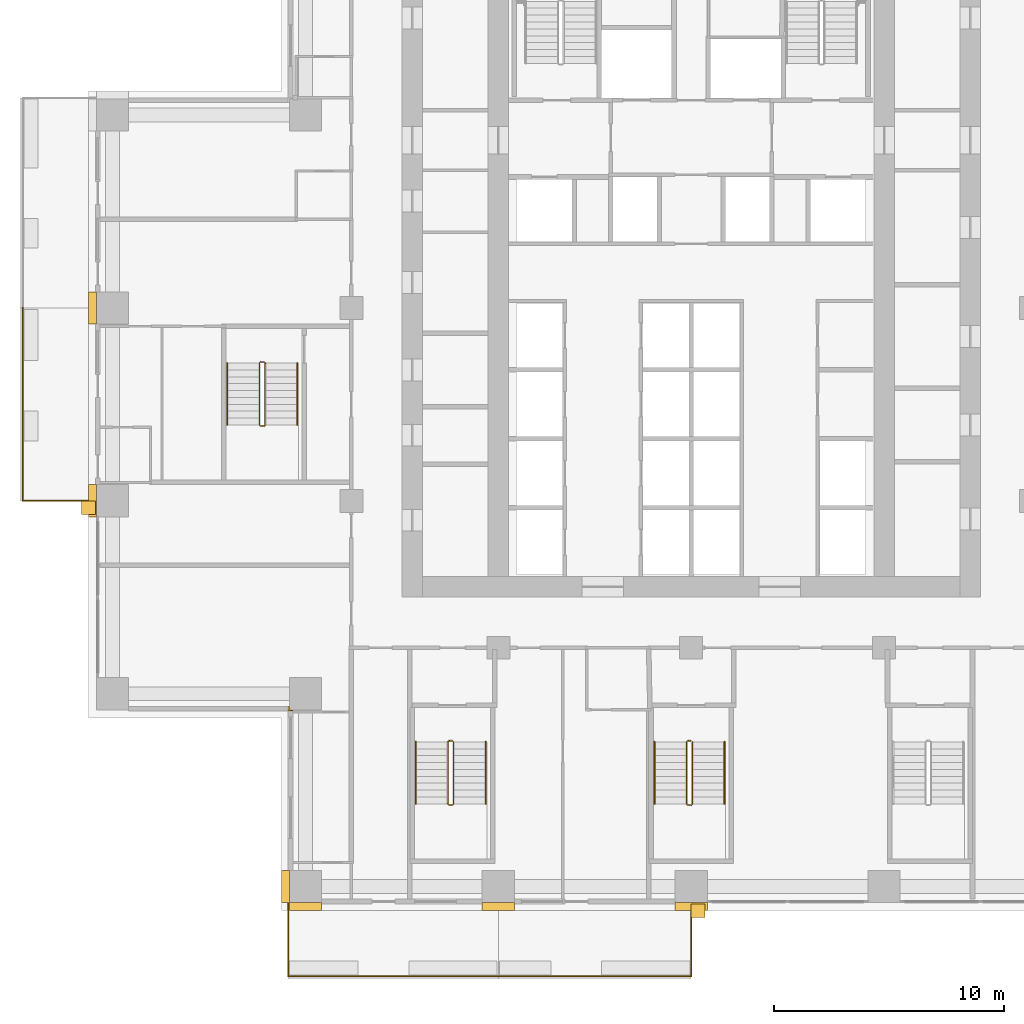
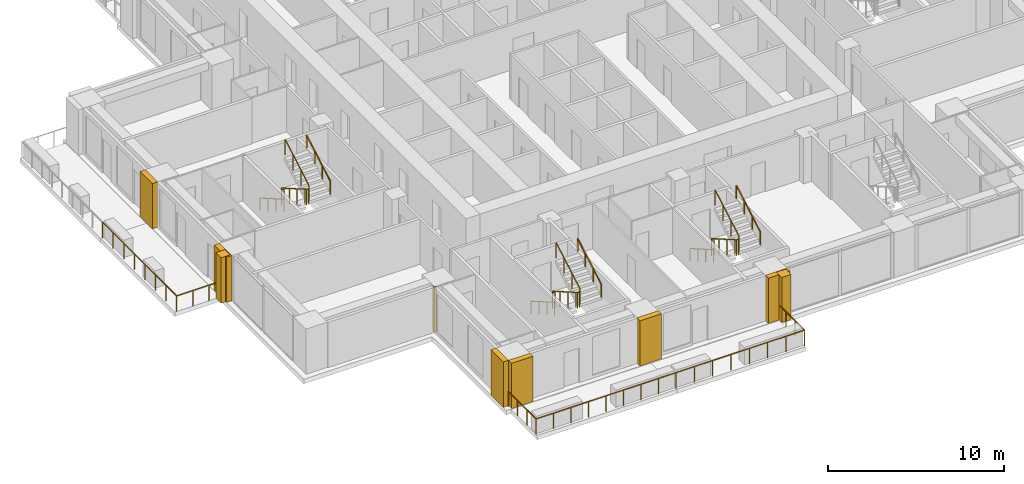
# One storey, part 14 of 17: 12 railings, 9 coverings.
"""IFC4 building model written with IfcOpenShell, lengths in metres."""

import ifcopenshell
import ifcopenshell.guid

model = None  # the IFC model being written
_history = None  # IfcOwnerHistory: only IFC2X3 demands one
_inside = {}  # id of a spatial element -> (the spatial element, [elements in it])
_under = {}  # id of a project, library or spatial element -> (it, [spatial elements below it])
_declared = {}  # id of a project -> (the project, [libraries it declares])
_typed = {}  # id of a type object -> (the type object, [elements of that type])
_made_of = {}  # id of a material, layer set ... -> (it, [elements and type objects made of it])


def new_model(schema):
    """Start an empty IFC model of exactly this schema.

    Asked for "IFC4X3", IfcOpenShell would pick the latest addendum, in which some entities
    have other attributes; the version numbers below select the first issue.
    IFC2X3 requires an IfcOwnerHistory on every rooted entity: one is made here for all.
    """
    global model, _history
    if schema == "IFC4X3":
        model = ifcopenshell.file(schema_version=(4, 3, 0, 0))
    else:
        model = ifcopenshell.file(schema=schema)
    _inside.clear()
    _under.clear()
    _declared.clear()
    _typed.clear()
    _made_of.clear()
    _history = None
    if model.schema == "IFC2X3":
        org = make("IfcOrganization", Name="unknown")
        user = make(
            "IfcPersonAndOrganization",
            ThePerson=make("IfcPerson", FamilyName="unknown"),
            TheOrganization=org,
        )
        app = make(
            "IfcApplication",
            ApplicationDeveloper=org,
            Version="unknown",
            ApplicationFullName="unknown",
            ApplicationIdentifier="unknown",
        )
        _history = make(
            "IfcOwnerHistory",
            OwningUser=user,
            OwningApplication=app,
            ChangeAction="ADDED",
            CreationDate=0,
        )
    return model


def make(cls, **values):
    """One entity of the class cls with the attributes given. An attribute that is None is left unset."""
    return model.create_entity(
        cls, **{name: value for name, value in values.items() if value is not None}
    )


def rooted(cls, **values):
    """An entity with a GlobalId (a new one), such as an element, a storey or a relation."""
    return make(cls, GlobalId=ifcopenshell.guid.new(), OwnerHistory=_history, **values)


def si_unit(unit_type, name, prefix=None):
    """IfcSIUnit, for example si_unit("LENGTHUNIT", "METRE", prefix="MILLI")."""
    return make("IfcSIUnit", UnitType=unit_type, Prefix=prefix, Name=name)


def assignment(units):
    """IfcUnitAssignment: the units of a project."""
    return None if units is None else make("IfcUnitAssignment", Units=units)


def point(xyz):
    """IfcCartesianPoint."""
    return None if xyz is None else make("IfcCartesianPoint", Coordinates=xyz)


def direction(xyz):
    """IfcDirection."""
    return None if xyz is None else make("IfcDirection", DirectionRatios=xyz)


def frame(location, z_axis=None, x_axis=None):
    """IfcAxis2Placement3D, a coordinate frame: its origin and axes. An axis left out is left unset."""
    return make(
        "IfcAxis2Placement3D",
        Location=point(location),
        Axis=direction(z_axis),
        RefDirection=direction(x_axis),
    )


def frame_2d(location, x_axis=None):
    """IfcAxis2Placement2D, a coordinate frame in the plane: its origin and x axis."""
    return make(
        "IfcAxis2Placement2D", Location=point(location), RefDirection=direction(x_axis)
    )


def origin():
    """The frame at (0, 0, 0) with its axes left unset."""
    return frame((0.0, 0.0, 0.0))


def origin_2d():
    """The frame at (0, 0) in the plane with its x axis left unset."""
    return frame_2d((0.0, 0.0))


def place(relative_to, where):
    """IfcLocalPlacement: puts the frame where relative to a parent placement (None: the world)."""
    return make(
        "IfcLocalPlacement", PlacementRelTo=relative_to, RelativePlacement=where
    )


def context(
    kind, dimensions, precision=None, world=None, true_north=None, identifier=None
):
    """IfcGeometricRepresentationContext, for example the 3D "Model" context."""
    return make(
        "IfcGeometricRepresentationContext",
        ContextIdentifier=identifier,
        ContextType=kind,
        CoordinateSpaceDimension=dimensions,
        Precision=precision,
        WorldCoordinateSystem=world,
        TrueNorth=true_north,
    )


def subcontext(parent, identifier, kind, view, scale=None):
    """IfcGeometricRepresentationSubContext, for example "Body" below "Model"."""
    return make(
        "IfcGeometricRepresentationSubContext",
        ContextIdentifier=identifier,
        ContextType=kind,
        ParentContext=parent,
        TargetScale=scale,
        TargetView=view,
    )


def project(units=None, contexts=None):
    """IfcProject with its units and contexts."""
    return rooted(
        "IfcProject",
        Name="project",
        RepresentationContexts=contexts,
        UnitsInContext=assignment(units),
    )


def spatial(cls, under=None, at=None, **own):
    """A site, building, storey or space (cls), placed at a placement, below another one or the project."""
    s = rooted(cls, ObjectPlacement=at, **own)
    if under is not None:
        _under.setdefault(under.id(), (under, []))[1].append(s)
    return s


def polyline(points):
    """IfcPolyline through the points."""
    return make("IfcPolyline", Points=[point(p) for p in points])


def profile(cls, at=None, kind="AREA", **sizes):
    """A parametric profile (cls). Its sizes go by their IFC names, for example OverallWidth=200.0."""
    return make(cls, ProfileType=kind, Position=at, **sizes)


def rectangle(**sizes):
    """IfcRectangleProfileDef."""
    return profile("IfcRectangleProfileDef", **sizes)


def outline(outer, holes=None, kind="AREA"):
    """IfcArbitraryClosedProfileDef: a profile drawn as a closed curve; with holes, ...WithVoids."""
    if holes is None:
        return make("IfcArbitraryClosedProfileDef", ProfileType=kind, OuterCurve=outer)
    return make(
        "IfcArbitraryProfileDefWithVoids",
        ProfileType=kind,
        OuterCurve=outer,
        InnerCurves=holes,
    )


def extrude(swept, where, along, depth):
    """IfcExtrudedAreaSolid: the profile swept, set in the frame where, extruded along a direction by depth."""
    return make(
        "IfcExtrudedAreaSolid",
        SweptArea=swept,
        Position=where,
        ExtrudedDirection=direction(along),
        Depth=depth,
    )


def shape(context_of_items, identifier, shape_type, items):
    """IfcShapeRepresentation: the items that make up one representation, for example the "Body"."""
    return make(
        "IfcShapeRepresentation",
        ContextOfItems=context_of_items,
        RepresentationIdentifier=identifier,
        RepresentationType=shape_type,
        Items=items,
    )


def material(Name=None, Category=None):
    """IfcMaterial."""
    return make("IfcMaterial", Name=Name, Category=Category)


def made_of(thing, what):
    """Note that an element or type object is made of a material, layer set ...; save() writes the relation."""
    if what is not None:
        _made_of.setdefault(what.id(), (what, []))[1].append(thing)
    return thing


def type_object(cls, material=None, **own):
    """A type object (cls), such as IfcWallType, which elements share."""
    return made_of(rooted(cls, **own), material)


def element(
    cls,
    number,
    at=None,
    inside=None,
    cuts=None,
    type_object=None,
    material=None,
    context=None,
    identifier="Body",
    shape_type=None,
    held_by="IfcProductDefinitionShape",
    body=None,
    shapes=None,
    **own,
):
    """One element of the class cls, such as IfcWall. Its Tag is "e" and its number.

    at: its placement. inside: the storey or other place that contains it. cuts: it is an
    opening in that element (IfcRelVoidsElement). A single representation is given by context,
    identifier, shape_type and body (its items); several are given by shapes. held_by: the class
    of the entity that holds the representations. save() writes the other relations.
    """
    e = rooted(cls, Tag="e%d" % number, ObjectPlacement=at, **own)
    if body is not None:
        shapes = [shape(context, identifier, shape_type, body)]
    if shapes is not None:
        e.Representation = make(held_by, Representations=shapes)
    if inside is not None:
        _inside.setdefault(inside.id(), (inside, []))[1].append(e)
    if cuts is not None:
        rooted(
            "IfcRelVoidsElement", RelatingBuildingElement=cuts, RelatedOpeningElement=e
        )
    if type_object is not None:
        _typed.setdefault(type_object.id(), (type_object, []))[1].append(e)
    return made_of(e, material)


def aggregate(whole, parts):
    """IfcRelAggregates: a whole, such as a stair, and the parts it consists of."""
    return rooted("IfcRelAggregates", RelatingObject=whole, RelatedObjects=parts)


def save(model, path):
    """Write the relations noted so far, then the file.

    IfcRelAggregates (storeys below a building ...), IfcRelContainedInSpatialStructure (elements
    in a storey), IfcRelDefinesByType, IfcRelAssociatesMaterial and IfcRelDeclares: one each for
    every whole, place, type object, material and project.
    """
    for whole, parts in _under.values():
        aggregate(whole, parts)
    for where, things in _inside.values():
        rooted(
            "IfcRelContainedInSpatialStructure",
            RelatedElements=things,
            RelatingStructure=where,
        )
    for kind, things in _typed.values():
        rooted("IfcRelDefinesByType", RelatedObjects=things, RelatingType=kind)
    for what, things in _made_of.values():
        rooted("IfcRelAssociatesMaterial", RelatedObjects=things, RelatingMaterial=what)
    for by, libraries in _declared.values():
        rooted("IfcRelDeclares", RelatingContext=by, RelatedDefinitions=libraries)
    model.write(path)


model = new_model("IFC4")

# Units and contexts
model_context = context("Model", 3, precision=1e-05, world=origin(), true_north=direction((0.0, 1.0)))
body_context = subcontext(model_context, "Body", "Model", "MODEL_VIEW")
ifc_project = project(units=[si_unit("LENGTHUNIT", "METRE"), si_unit("AREAUNIT", "SQUARE_METRE"), si_unit("VOLUMEUNIT", "CUBIC_METRE"), si_unit("PLANEANGLEUNIT", "RADIAN"), si_unit("MASSUNIT", "GRAM", prefix="KILO")], contexts=[model_context])

# Site, building, storey
site_placement = place(None, origin())
site = spatial("IfcSite", under=ifc_project, at=site_placement, CompositionType="ELEMENT")
building_placement = place(site_placement, origin())
building = spatial("IfcBuilding", under=site, at=building_placement, Name="Vermilion Ogive Tower", CompositionType="ELEMENT")
storey_placement = place(building_placement, frame((0.0, 0.0, 58.64990234375)))
storey = spatial("IfcBuildingStorey", under=building, at=storey_placement, Name="L13", CompositionType="ELEMENT", Elevation=58.64990234375)

# Railings
ifc_material_1 = material(Name="Stainless steel and glass", Category="steel")
railing_type_1 = type_object("IfcRailingType", Name="Balcony guard", PredefinedType="GUARDRAIL", material=ifc_material_1)
railing_1_placement = place(storey_placement, frame((-17.550048828125, -21.75, -0.039794921875)))
element("IfcRailing", 1, at=railing_1_placement, inside=storey, type_object=railing_type_1, Name="Guard S01", PredefinedType="GUARDRAIL", context=body_context, shape_type="SweptSolid", body=[
    extrude(rectangle(XDim=0.048095703125, YDim=0.048095703125, at=origin_2d()), frame((0.0, 0.0, 1.076171875), z_axis=(0.0, -1.0, 0.0), x_axis=(1.0, 0.0, 0.0)), (0.0, 0.0, 1.0), 3.159912109375),
    extrude(rectangle(XDim=0.048095703125, YDim=0.048095703125, at=origin_2d()), frame((0.0, -3.159912109375, 1.076171875), z_axis=(1.0, 0.0, 0.0), x_axis=(0.0, 1.0, 0.0)), (0.0, 0.0, 1.0), 9.150146484375),
    extrude(rectangle(XDim=0.0419921875, YDim=0.0419921875, at=origin_2d()), origin(), (0.0, 0.0, 1.0), 1.052001953125),
    extrude(rectangle(XDim=0.0419921875, YDim=0.0419921875, at=origin_2d()), frame((0.0, -1.05322265625, 0.0)), (0.0, 0.0, 1.0), 1.052001953125),
    extrude(rectangle(XDim=0.0419921875, YDim=0.0419921875, at=origin_2d()), frame((0.0, -2.106689453125, 0.0)), (0.0, 0.0, 1.0), 1.052001953125),
    extrude(rectangle(XDim=0.0419921875, YDim=0.0419921875, at=origin_2d()), frame((0.0, -3.159912109375, 0.0)), (0.0, 0.0, 1.0), 1.052001953125),
    extrude(rectangle(XDim=0.0419921875, YDim=0.0419921875, at=origin_2d()), frame((1.143798828125, -3.159912109375, 0.0)), (0.0, 0.0, 1.0), 1.052001953125),
    extrude(rectangle(XDim=0.0419921875, YDim=0.0419921875, at=origin_2d()), frame((2.28759765625, -3.159912109375, 0.0)), (0.0, 0.0, 1.0), 1.052001953125),
    extrude(rectangle(XDim=0.0419921875, YDim=0.0419921875, at=origin_2d()), frame((3.431396484375, -3.159912109375, 0.0)), (0.0, 0.0, 1.0), 1.052001953125),
    extrude(rectangle(XDim=0.0419921875, YDim=0.0419921875, at=origin_2d()), frame((4.5751953125, -3.159912109375, 0.0)), (0.0, 0.0, 1.0), 1.052001953125),
    extrude(rectangle(XDim=0.0419921875, YDim=0.0419921875, at=origin_2d()), frame((5.71875, -3.159912109375, 0.0)), (0.0, 0.0, 1.0), 1.052001953125),
    extrude(rectangle(XDim=0.0419921875, YDim=0.0419921875, at=origin_2d()), frame((6.862548828125, -3.159912109375, 0.0)), (0.0, 0.0, 1.0), 1.052001953125),
    extrude(rectangle(XDim=0.0419921875, YDim=0.0419921875, at=origin_2d()), frame((8.00634765625, -3.159912109375, 0.0)), (0.0, 0.0, 1.0), 1.052001953125),
    extrude(rectangle(XDim=0.0419921875, YDim=0.0419921875, at=origin_2d()), frame((9.150146484375, -3.159912109375, 0.0)), (0.0, 0.0, 1.0), 1.052001953125),
])
railing_2_placement = place(storey_placement, frame((-8.39990234375, -24.909912109375, -0.039794921875)))
element("IfcRailing", 2, at=railing_2_placement, inside=storey, type_object=railing_type_1, Name="Guard S02", PredefinedType="GUARDRAIL", context=body_context, shape_type="SweptSolid", body=[
    extrude(rectangle(XDim=0.048095703125, YDim=0.048095703125, at=origin_2d()), frame((0.0, 0.0, 1.076171875), z_axis=(1.0, 0.0, 0.0), x_axis=(0.0, 1.0, 0.0)), (0.0, 0.0, 1.0), 8.39990234375),
    extrude(rectangle(XDim=0.048095703125, YDim=0.048095703125, at=origin_2d()), frame((8.39990234375, 0.0, 1.076171875), z_axis=(0.0, 1.0, 0.0), x_axis=(-1.0, 0.0, 0.0)), (0.0, 0.0, 1.0), 3.159912109375),
    extrude(rectangle(XDim=0.0419921875, YDim=0.0419921875, at=origin_2d()), origin(), (0.0, 0.0, 1.0), 1.052001953125),
    extrude(rectangle(XDim=0.0419921875, YDim=0.0419921875, at=origin_2d()), frame((1.199951171875, 0.0, 0.0)), (0.0, 0.0, 1.0), 1.052001953125),
    extrude(rectangle(XDim=0.0419921875, YDim=0.0419921875, at=origin_2d()), frame((2.39990234375, 0.0, 0.0)), (0.0, 0.0, 1.0), 1.052001953125),
    extrude(rectangle(XDim=0.0419921875, YDim=0.0419921875, at=origin_2d()), frame((3.599853515625, 0.0, 0.0)), (0.0, 0.0, 1.0), 1.052001953125),
    extrude(rectangle(XDim=0.0419921875, YDim=0.0419921875, at=origin_2d()), frame((4.800048828125, 0.0, 0.0)), (0.0, 0.0, 1.0), 1.052001953125),
    extrude(rectangle(XDim=0.0419921875, YDim=0.0419921875, at=origin_2d()), frame((6.0, 0.0, 0.0)), (0.0, 0.0, 1.0), 1.052001953125),
    extrude(rectangle(XDim=0.0419921875, YDim=0.0419921875, at=origin_2d()), frame((7.199951171875, 0.0, 0.0)), (0.0, 0.0, 1.0), 1.052001953125),
    extrude(rectangle(XDim=0.0419921875, YDim=0.0419921875, at=origin_2d()), frame((8.39990234375, 0.0, 0.0)), (0.0, 0.0, 1.0), 1.052001953125),
    extrude(rectangle(XDim=0.0419921875, YDim=0.0419921875, at=origin_2d()), frame((8.39990234375, 1.05322265625, 0.0)), (0.0, 0.0, 1.0), 1.052001953125),
    extrude(rectangle(XDim=0.0419921875, YDim=0.0419921875, at=origin_2d()), frame((8.39990234375, 2.106689453125, 0.0)), (0.0, 0.0, 1.0), 1.052001953125),
    extrude(rectangle(XDim=0.0419921875, YDim=0.0419921875, at=origin_2d()), frame((8.39990234375, 3.159912109375, 0.0)), (0.0, 0.0, 1.0), 1.052001953125),
])
railing_3_placement = place(storey_placement, frame((-29.110107421875, 4.199951171875, -0.039794921875)))
element("IfcRailing", 3, at=railing_3_placement, inside=storey, type_object=railing_type_1, Name="Guard W02", PredefinedType="GUARDRAIL", context=body_context, shape_type="SweptSolid", body=[
    extrude(rectangle(XDim=0.048095703125, YDim=0.048095703125, at=origin_2d()), frame((0.0, 0.0, 1.076171875), z_axis=(0.0, -1.0, 0.0), x_axis=(1.0, 0.0, 0.0)), (0.0, 0.0, 1.0), 8.39990234375),
    extrude(rectangle(XDim=0.048095703125, YDim=0.048095703125, at=origin_2d()), frame((0.0, -8.39990234375, 1.076171875), z_axis=(1.0, 0.0, 0.0), x_axis=(0.0, 1.0, 0.0)), (0.0, 0.0, 1.0), 3.16015625),
    extrude(rectangle(XDim=0.0419921875, YDim=0.0419921875, at=origin_2d()), origin(), (0.0, 0.0, 1.0), 1.052001953125),
    extrude(rectangle(XDim=0.0419921875, YDim=0.0419921875, at=origin_2d()), frame((0.0, -1.199951171875, 0.0)), (0.0, 0.0, 1.0), 1.052001953125),
    extrude(rectangle(XDim=0.0419921875, YDim=0.0419921875, at=origin_2d()), frame((0.0, -2.39990234375, 0.0)), (0.0, 0.0, 1.0), 1.052001953125),
    extrude(rectangle(XDim=0.0419921875, YDim=0.0419921875, at=origin_2d()), frame((0.0, -3.599853515625, 0.0)), (0.0, 0.0, 1.0), 1.052001953125),
    extrude(rectangle(XDim=0.0419921875, YDim=0.0419921875, at=origin_2d()), frame((0.0, -4.800048828125, 0.0)), (0.0, 0.0, 1.0), 1.052001953125),
    extrude(rectangle(XDim=0.0419921875, YDim=0.0419921875, at=origin_2d()), frame((0.0, -6.0, 0.0)), (0.0, 0.0, 1.0), 1.052001953125),
    extrude(rectangle(XDim=0.0419921875, YDim=0.0419921875, at=origin_2d()), frame((0.0, -7.199951171875, 0.0)), (0.0, 0.0, 1.0), 1.052001953125),
    extrude(rectangle(XDim=0.0419921875, YDim=0.0419921875, at=origin_2d()), frame((0.0, -8.39990234375, 0.0)), (0.0, 0.0, 1.0), 1.052001953125),
    extrude(rectangle(XDim=0.0419921875, YDim=0.0419921875, at=origin_2d()), frame((1.053466796875, -8.39990234375, 0.0)), (0.0, 0.0, 1.0), 1.052001953125),
    extrude(rectangle(XDim=0.0419921875, YDim=0.0419921875, at=origin_2d()), frame((2.106689453125, -8.39990234375, 0.0)), (0.0, 0.0, 1.0), 1.052001953125),
    extrude(rectangle(XDim=0.0419921875, YDim=0.0419921875, at=origin_2d()), frame((3.16015625, -8.39990234375, 0.0)), (0.0, 0.0, 1.0), 1.052001953125),
])
ifc_material_2 = material(Name="Steel S355 painted", Category="steel")
railing_type_2 = type_object("IfcRailingType", Name="Stair guard 1100", PredefinedType="GUARDRAIL", material=ifc_material_2)
railing_4_placement = place(storey_placement, frame((-10.39990234375, -14.64990234375, 0.0)))
element("IfcRailing", 4, at=railing_4_placement, inside=storey, type_object=railing_type_2, Name="L13 ST3 stair guard 4", PredefinedType="GUARDRAIL", context=body_context, shape_type="SweptSolid", body=[
    extrude(rectangle(XDim=0.048095703125, YDim=0.048095703125, at=origin_2d()), frame((0.0, 0.0, 1.076171875), z_axis=(-1.0, 0.0, 0.0), x_axis=(0.0, -1.0, 0.0)), (0.0, 0.0, 1.0), 0.150146484375),
    extrude(rectangle(XDim=0.048095703125, YDim=0.048095703125, at=origin_2d()), frame((-0.150146484375, 0.0, 1.076171875), z_axis=(-0.268277960024, -0.268277960024, 0.925231793839), x_axis=(0.707106781187, -0.707106781187, 0.0)), (0.0, 0.0, 1.0), 0.1865234375),
    extrude(rectangle(XDim=0.048095703125, YDim=0.048095703125, at=origin_2d()), frame((-0.2001953125, -0.050048828125, 1.24853515625), z_axis=(0.0, -0.866903762492, 0.498475542607), x_axis=(1.0, 0.0, 0.0)), (0.0, 0.0, 1.0), 3.114501953125),
    extrude(rectangle(XDim=0.048095703125, YDim=0.048095703125, at=origin_2d()), frame((-0.2001953125, -2.75, 2.80126953125), z_axis=(0.707106781187, -0.707106781187, 0.0), x_axis=(0.707106781187, 0.707106781187, 0.0)), (0.0, 0.0, 1.0), 0.07080078125),
    extrude(rectangle(XDim=0.048095703125, YDim=0.048095703125, at=origin_2d()), frame((-0.150146484375, -2.800048828125, 2.80126953125), z_axis=(1.0, 0.0, 0.0), x_axis=(0.0, 1.0, 0.0)), (0.0, 0.0, 1.0), 0.150146484375),
    extrude(rectangle(XDim=0.048095703125, YDim=0.048095703125, at=origin_2d()), frame((0.0, -2.800048828125, 2.80126953125), z_axis=(0.267062837333, 0.268371968888, 0.925556009775), x_axis=(-0.708833529934, 0.705375805398, 0.0)), (0.0, 0.0, 1.0), 0.1865234375),
    extrude(rectangle(XDim=0.048095703125, YDim=0.048095703125, at=origin_2d()), frame((0.0498046875, -2.75, 2.9736328125), z_axis=(0.0, 0.866903762492, 0.498475542607), x_axis=(-1.0, 0.0, 0.0)), (0.0, 0.0, 1.0), 3.114501953125),
    extrude(rectangle(XDim=0.0419921875, YDim=0.0419921875, at=origin_2d()), origin(), (0.0, 0.0, 1.0), 1.052001953125),
    extrude(rectangle(XDim=0.0419921875, YDim=0.0419921875, at=origin_2d()), frame((-0.150146484375, 0.0, 0.0)), (0.0, 0.0, 1.0), 1.052001953125),
    extrude(rectangle(XDim=0.0419921875, YDim=0.0419921875, at=origin_2d()), frame((-0.2001953125, -0.050048828125, 0.172607421875)), (0.0, 0.0, 1.0), 1.052001953125),
    extrude(rectangle(XDim=0.0419921875, YDim=0.0419921875, at=origin_2d()), frame((-0.2001953125, -0.949951171875, 0.690185546875)), (0.0, 0.0, 1.0), 1.052001953125),
    extrude(rectangle(XDim=0.0419921875, YDim=0.0419921875, at=origin_2d()), frame((-0.2001953125, -1.85009765625, 1.20751953125)), (0.0, 0.0, 1.0), 1.052001953125),
    extrude(rectangle(XDim=0.0419921875, YDim=0.0419921875, at=origin_2d()), frame((-0.2001953125, -2.75, 1.72509765625)), (0.0, 0.0, 1.0), 1.052001953125),
    extrude(rectangle(XDim=0.0419921875, YDim=0.0419921875, at=origin_2d()), frame((-0.150146484375, -2.800048828125, 1.72509765625)), (0.0, 0.0, 1.0), 1.052001953125),
    extrude(rectangle(XDim=0.0419921875, YDim=0.0419921875, at=origin_2d()), frame((0.0, -2.800048828125, 1.72509765625)), (0.0, 0.0, 1.0), 1.052001953125),
    extrude(rectangle(XDim=0.0419921875, YDim=0.0419921875, at=origin_2d()), frame((0.0498046875, -2.75, 1.897705078125)), (0.0, 0.0, 1.0), 1.052001953125),
    extrude(rectangle(XDim=0.0419921875, YDim=0.0419921875, at=origin_2d()), frame((0.0498046875, -1.85009765625, 2.415283203125)), (0.0, 0.0, 1.0), 1.052001953125),
    extrude(rectangle(XDim=0.0419921875, YDim=0.0419921875, at=origin_2d()), frame((0.0498046875, -0.949951171875, 2.9326171875)), (0.0, 0.0, 1.0), 1.052001953125),
    extrude(rectangle(XDim=0.0419921875, YDim=0.0419921875, at=origin_2d()), frame((0.0498046875, -0.050048828125, 3.4501953125)), (0.0, 0.0, 1.0), 1.052001953125),
])
railing_5_placement = place(storey_placement, frame((0.0, -14.64990234375, 0.0)))
element("IfcRailing", 5, at=railing_5_placement, inside=storey, type_object=railing_type_2, Name="L13 ST4 stair guard 4", PredefinedType="GUARDRAIL", context=body_context, shape_type="SweptSolid", body=[
    extrude(rectangle(XDim=0.048095703125, YDim=0.048095703125, at=origin_2d()), frame((0.0, 0.0, 1.076171875), z_axis=(-1.0, 0.0, 0.0), x_axis=(0.0, -1.0, 0.0)), (0.0, 0.0, 1.0), 0.14990234375),
    extrude(rectangle(XDim=0.048095703125, YDim=0.048095703125, at=origin_2d()), frame((-0.14990234375, 0.0, 1.076171875), z_axis=(-0.268277960024, -0.268277960024, 0.925231793839), x_axis=(0.707106781187, -0.707106781187, 0.0)), (0.0, 0.0, 1.0), 0.1865234375),
    extrude(rectangle(XDim=0.048095703125, YDim=0.048095703125, at=origin_2d()), frame((-0.199951171875, -0.050048828125, 1.24853515625), z_axis=(0.0, -0.866903762492, 0.498475542607), x_axis=(1.0, 0.0, 0.0)), (0.0, 0.0, 1.0), 3.114501953125),
    extrude(rectangle(XDim=0.048095703125, YDim=0.048095703125, at=origin_2d()), frame((-0.199951171875, -2.75, 2.80126953125), z_axis=(0.707106781187, -0.707106781187, 0.0), x_axis=(0.707106781187, 0.707106781187, 0.0)), (0.0, 0.0, 1.0), 0.07080078125),
    extrude(rectangle(XDim=0.048095703125, YDim=0.048095703125, at=origin_2d()), frame((-0.14990234375, -2.800048828125, 2.80126953125), z_axis=(1.0, 0.0, 0.0), x_axis=(0.0, 1.0, 0.0)), (0.0, 0.0, 1.0), 0.14990234375),
    extrude(rectangle(XDim=0.048095703125, YDim=0.048095703125, at=origin_2d()), frame((0.0, -2.800048828125, 2.80126953125), z_axis=(0.268277960024, 0.268277960024, 0.925231793839), x_axis=(-0.707106781187, 0.707106781187, 0.0)), (0.0, 0.0, 1.0), 0.1865234375),
    extrude(rectangle(XDim=0.048095703125, YDim=0.048095703125, at=origin_2d()), frame((0.050048828125, -2.75, 2.9736328125), z_axis=(0.0, 0.866903762492, 0.498475542607), x_axis=(-1.0, 0.0, 0.0)), (0.0, 0.0, 1.0), 3.114501953125),
    extrude(rectangle(XDim=0.0419921875, YDim=0.0419921875, at=origin_2d()), origin(), (0.0, 0.0, 1.0), 1.052001953125),
    extrude(rectangle(XDim=0.0419921875, YDim=0.0419921875, at=origin_2d()), frame((-0.14990234375, 0.0, 0.0)), (0.0, 0.0, 1.0), 1.052001953125),
    extrude(rectangle(XDim=0.0419921875, YDim=0.0419921875, at=origin_2d()), frame((-0.199951171875, -0.050048828125, 0.172607421875)), (0.0, 0.0, 1.0), 1.052001953125),
    extrude(rectangle(XDim=0.0419921875, YDim=0.0419921875, at=origin_2d()), frame((-0.199951171875, -0.949951171875, 0.690185546875)), (0.0, 0.0, 1.0), 1.052001953125),
    extrude(rectangle(XDim=0.0419921875, YDim=0.0419921875, at=origin_2d()), frame((-0.199951171875, -1.85009765625, 1.20751953125)), (0.0, 0.0, 1.0), 1.052001953125),
    extrude(rectangle(XDim=0.0419921875, YDim=0.0419921875, at=origin_2d()), frame((-0.199951171875, -2.75, 1.72509765625)), (0.0, 0.0, 1.0), 1.052001953125),
    extrude(rectangle(XDim=0.0419921875, YDim=0.0419921875, at=origin_2d()), frame((-0.14990234375, -2.800048828125, 1.72509765625)), (0.0, 0.0, 1.0), 1.052001953125),
    extrude(rectangle(XDim=0.0419921875, YDim=0.0419921875, at=origin_2d()), frame((0.0, -2.800048828125, 1.72509765625)), (0.0, 0.0, 1.0), 1.052001953125),
    extrude(rectangle(XDim=0.0419921875, YDim=0.0419921875, at=origin_2d()), frame((0.050048828125, -2.75, 1.897705078125)), (0.0, 0.0, 1.0), 1.052001953125),
    extrude(rectangle(XDim=0.0419921875, YDim=0.0419921875, at=origin_2d()), frame((0.050048828125, -1.85009765625, 2.415283203125)), (0.0, 0.0, 1.0), 1.052001953125),
    extrude(rectangle(XDim=0.0419921875, YDim=0.0419921875, at=origin_2d()), frame((0.050048828125, -0.949951171875, 2.9326171875)), (0.0, 0.0, 1.0), 1.052001953125),
    extrude(rectangle(XDim=0.0419921875, YDim=0.0419921875, at=origin_2d()), frame((0.050048828125, -0.050048828125, 3.4501953125)), (0.0, 0.0, 1.0), 1.052001953125),
])
railing_6_placement = place(storey_placement, frame((-18.60009765625, 1.85009765625, 0.0)))
element("IfcRailing", 6, at=railing_6_placement, inside=storey, type_object=railing_type_2, Name="L13 ST9 stair guard 4", PredefinedType="GUARDRAIL", context=body_context, shape_type="SweptSolid", body=[
    extrude(rectangle(XDim=0.048095703125, YDim=0.048095703125, at=origin_2d()), frame((0.0, 0.0, 1.076171875), z_axis=(-1.0, 0.0, 0.0), x_axis=(0.0, -1.0, 0.0)), (0.0, 0.0, 1.0), 0.14990234375),
    extrude(rectangle(XDim=0.048095703125, YDim=0.048095703125, at=origin_2d()), frame((-0.14990234375, 0.0, 1.076171875), z_axis=(-0.268277960024, -0.268277960024, 0.925231793839), x_axis=(0.707106781187, -0.707106781187, 0.0)), (0.0, 0.0, 1.0), 0.1865234375),
    extrude(rectangle(XDim=0.048095703125, YDim=0.048095703125, at=origin_2d()), frame((-0.199951171875, -0.050048828125, 1.24853515625), z_axis=(0.0, -0.866903762492, 0.498475542607), x_axis=(1.0, 0.0, 0.0)), (0.0, 0.0, 1.0), 3.114501953125),
    extrude(rectangle(XDim=0.048095703125, YDim=0.048095703125, at=origin_2d()), frame((-0.199951171875, -2.75, 2.80126953125), z_axis=(0.707106781187, -0.707106781187, 0.0), x_axis=(0.707106781187, 0.707106781187, 0.0)), (0.0, 0.0, 1.0), 0.07080078125),
    extrude(rectangle(XDim=0.048095703125, YDim=0.048095703125, at=origin_2d()), frame((-0.14990234375, -2.800048828125, 2.80126953125), z_axis=(1.0, 0.0, 0.0), x_axis=(0.0, 1.0, 0.0)), (0.0, 0.0, 1.0), 0.14990234375),
    extrude(rectangle(XDim=0.048095703125, YDim=0.048095703125, at=origin_2d()), frame((0.0, -2.800048828125, 2.80126953125), z_axis=(0.268277960024, 0.268277960024, 0.925231793839), x_axis=(-0.707106781187, 0.707106781187, 0.0)), (0.0, 0.0, 1.0), 0.1865234375),
    extrude(rectangle(XDim=0.048095703125, YDim=0.048095703125, at=origin_2d()), frame((0.050048828125, -2.75, 2.9736328125), z_axis=(0.0, 0.866903762492, 0.498475542607), x_axis=(-1.0, 0.0, 0.0)), (0.0, 0.0, 1.0), 3.114501953125),
    extrude(rectangle(XDim=0.0419921875, YDim=0.0419921875, at=origin_2d()), origin(), (0.0, 0.0, 1.0), 1.052001953125),
    extrude(rectangle(XDim=0.0419921875, YDim=0.0419921875, at=origin_2d()), frame((-0.14990234375, 0.0, 0.0)), (0.0, 0.0, 1.0), 1.052001953125),
    extrude(rectangle(XDim=0.0419921875, YDim=0.0419921875, at=origin_2d()), frame((-0.199951171875, -0.050048828125, 0.172607421875)), (0.0, 0.0, 1.0), 1.052001953125),
    extrude(rectangle(XDim=0.0419921875, YDim=0.0419921875, at=origin_2d()), frame((-0.199951171875, -0.949951171875, 0.690185546875)), (0.0, 0.0, 1.0), 1.052001953125),
    extrude(rectangle(XDim=0.0419921875, YDim=0.0419921875, at=origin_2d()), frame((-0.199951171875, -1.85009765625, 1.20751953125)), (0.0, 0.0, 1.0), 1.052001953125),
    extrude(rectangle(XDim=0.0419921875, YDim=0.0419921875, at=origin_2d()), frame((-0.199951171875, -2.75, 1.72509765625)), (0.0, 0.0, 1.0), 1.052001953125),
    extrude(rectangle(XDim=0.0419921875, YDim=0.0419921875, at=origin_2d()), frame((-0.14990234375, -2.800048828125, 1.72509765625)), (0.0, 0.0, 1.0), 1.052001953125),
    extrude(rectangle(XDim=0.0419921875, YDim=0.0419921875, at=origin_2d()), frame((0.0, -2.800048828125, 1.72509765625)), (0.0, 0.0, 1.0), 1.052001953125),
    extrude(rectangle(XDim=0.0419921875, YDim=0.0419921875, at=origin_2d()), frame((0.050048828125, -2.75, 1.897705078125)), (0.0, 0.0, 1.0), 1.052001953125),
    extrude(rectangle(XDim=0.0419921875, YDim=0.0419921875, at=origin_2d()), frame((0.050048828125, -1.85009765625, 2.415283203125)), (0.0, 0.0, 1.0), 1.052001953125),
    extrude(rectangle(XDim=0.0419921875, YDim=0.0419921875, at=origin_2d()), frame((0.050048828125, -0.949951171875, 2.9326171875)), (0.0, 0.0, 1.0), 1.052001953125),
    extrude(rectangle(XDim=0.0419921875, YDim=0.0419921875, at=origin_2d()), frame((0.050048828125, -0.050048828125, 3.4501953125)), (0.0, 0.0, 1.0), 1.052001953125),
])
ifc_material_3 = material(Name="Stainless steel", Category="steel")
railing_type_3 = type_object("IfcRailingType", Name="Stair handrail 900", PredefinedType="HANDRAIL", material=ifc_material_3)
railing_7_placement = place(storey_placement, frame((-12.0, -14.699951171875, 0.172607421875)))
element("IfcRailing", 7, at=railing_7_placement, inside=storey, type_object=railing_type_3, Name="L13 ST3 stair handrail 1", PredefinedType="HANDRAIL", context=body_context, shape_type="SweptSolid", body=[
    extrude(rectangle(XDim=0.048095703125, YDim=0.048095703125, at=origin_2d()), frame((0.0, 0.0, 0.8759765625), z_axis=(0.0, -0.866903762492, 0.498475542607), x_axis=(1.0, 0.0, 0.0)), (0.0, 0.0, 1.0), 3.114501953125),
    extrude(rectangle(XDim=0.0419921875, YDim=0.0419921875, at=origin_2d()), origin(), (0.0, 0.0, 1.0), 0.851806640625),
    extrude(rectangle(XDim=0.0419921875, YDim=0.0419921875, at=origin_2d()), frame((0.0, -0.89990234375, 0.517578125)), (0.0, 0.0, 1.0), 0.851806640625),
    extrude(rectangle(XDim=0.0419921875, YDim=0.0419921875, at=origin_2d()), frame((0.0, -1.800048828125, 1.034912109375)), (0.0, 0.0, 1.0), 0.851806640625),
    extrude(rectangle(XDim=0.0419921875, YDim=0.0419921875, at=origin_2d()), frame((0.0, -2.699951171875, 1.552490234375)), (0.0, 0.0, 1.0), 0.851806640625),
])
railing_8_placement = place(storey_placement, frame((-8.949951171875, -17.39990234375, 1.897705078125)))
element("IfcRailing", 8, at=railing_8_placement, inside=storey, type_object=railing_type_3, Name="L13 ST3 stair handrail 2", PredefinedType="HANDRAIL", context=body_context, shape_type="SweptSolid", body=[
    extrude(rectangle(XDim=0.048095703125, YDim=0.048095703125, at=origin_2d()), frame((0.0, 0.0, 0.8759765625), z_axis=(0.0, 0.866903762492, 0.498475542607), x_axis=(-1.0, 0.0, 0.0)), (0.0, 0.0, 1.0), 3.114501953125),
    extrude(rectangle(XDim=0.0419921875, YDim=0.0419921875, at=origin_2d()), origin(), (0.0, 0.0, 1.0), 0.851806640625),
    extrude(rectangle(XDim=0.0419921875, YDim=0.0419921875, at=origin_2d()), frame((0.0, 0.89990234375, 0.517578125)), (0.0, 0.0, 1.0), 0.851806640625),
    extrude(rectangle(XDim=0.0419921875, YDim=0.0419921875, at=origin_2d()), frame((0.0, 1.800048828125, 1.034912109375)), (0.0, 0.0, 1.0), 0.851806640625),
    extrude(rectangle(XDim=0.0419921875, YDim=0.0419921875, at=origin_2d()), frame((0.0, 2.699951171875, 1.552490234375)), (0.0, 0.0, 1.0), 0.851806640625),
])
railing_9_placement = place(storey_placement, frame((-1.60009765625, -14.699951171875, 0.172607421875)))
element("IfcRailing", 9, at=railing_9_placement, inside=storey, type_object=railing_type_3, Name="L13 ST4 stair handrail 1", PredefinedType="HANDRAIL", context=body_context, shape_type="SweptSolid", body=[
    extrude(rectangle(XDim=0.048095703125, YDim=0.048095703125, at=origin_2d()), frame((0.0, 0.0, 0.8759765625), z_axis=(0.0, -0.866903762492, 0.498475542607), x_axis=(1.0, 0.0, 0.0)), (0.0, 0.0, 1.0), 3.114501953125),
    extrude(rectangle(XDim=0.0419921875, YDim=0.0419921875, at=origin_2d()), origin(), (0.0, 0.0, 1.0), 0.851806640625),
    extrude(rectangle(XDim=0.0419921875, YDim=0.0419921875, at=origin_2d()), frame((0.0, -0.89990234375, 0.517578125)), (0.0, 0.0, 1.0), 0.851806640625),
    extrude(rectangle(XDim=0.0419921875, YDim=0.0419921875, at=origin_2d()), frame((0.0, -1.800048828125, 1.034912109375)), (0.0, 0.0, 1.0), 0.851806640625),
    extrude(rectangle(XDim=0.0419921875, YDim=0.0419921875, at=origin_2d()), frame((0.0, -2.699951171875, 1.552490234375)), (0.0, 0.0, 1.0), 0.851806640625),
])
railing_10_placement = place(storey_placement, frame((1.449951171875, -17.39990234375, 1.897705078125)))
element("IfcRailing", 10, at=railing_10_placement, inside=storey, type_object=railing_type_3, Name="L13 ST4 stair handrail 2", PredefinedType="HANDRAIL", context=body_context, shape_type="SweptSolid", body=[
    extrude(rectangle(XDim=0.048095703125, YDim=0.048095703125, at=origin_2d()), frame((0.0, 0.0, 0.8759765625), z_axis=(0.0, 0.866903762492, 0.498475542607), x_axis=(-1.0, 0.0, 0.0)), (0.0, 0.0, 1.0), 3.114501953125),
    extrude(rectangle(XDim=0.0419921875, YDim=0.0419921875, at=origin_2d()), origin(), (0.0, 0.0, 1.0), 0.851806640625),
    extrude(rectangle(XDim=0.0419921875, YDim=0.0419921875, at=origin_2d()), frame((0.0, 0.89990234375, 0.517578125)), (0.0, 0.0, 1.0), 0.851806640625),
    extrude(rectangle(XDim=0.0419921875, YDim=0.0419921875, at=origin_2d()), frame((0.0, 1.800048828125, 1.034912109375)), (0.0, 0.0, 1.0), 0.851806640625),
    extrude(rectangle(XDim=0.0419921875, YDim=0.0419921875, at=origin_2d()), frame((0.0, 2.699951171875, 1.552490234375)), (0.0, 0.0, 1.0), 0.851806640625),
])
railing_11_placement = place(storey_placement, frame((-20.199951171875, 1.800048828125, 0.172607421875)))
element("IfcRailing", 11, at=railing_11_placement, inside=storey, type_object=railing_type_3, Name="L13 ST9 stair handrail 1", PredefinedType="HANDRAIL", context=body_context, shape_type="SweptSolid", body=[
    extrude(rectangle(XDim=0.048095703125, YDim=0.048095703125, at=origin_2d()), frame((0.0, 0.0, 0.8759765625), z_axis=(0.0, -0.866903762492, 0.498475542607), x_axis=(1.0, 0.0, 0.0)), (0.0, 0.0, 1.0), 3.114501953125),
    extrude(rectangle(XDim=0.0419921875, YDim=0.0419921875, at=origin_2d()), origin(), (0.0, 0.0, 1.0), 0.851806640625),
    extrude(rectangle(XDim=0.0419921875, YDim=0.0419921875, at=origin_2d()), frame((0.0, -0.89990234375, 0.517578125)), (0.0, 0.0, 1.0), 0.851806640625),
    extrude(rectangle(XDim=0.0419921875, YDim=0.0419921875, at=origin_2d()), frame((0.0, -1.800048828125, 1.034912109375)), (0.0, 0.0, 1.0), 0.851806640625),
    extrude(rectangle(XDim=0.0419921875, YDim=0.0419921875, at=origin_2d()), frame((0.0, -2.699951171875, 1.552490234375)), (0.0, 0.0, 1.0), 0.851806640625),
])
railing_12_placement = place(storey_placement, frame((-17.14990234375, -0.89990234375, 1.897705078125)))
element("IfcRailing", 12, at=railing_12_placement, inside=storey, type_object=railing_type_3, Name="L13 ST9 stair handrail 2", PredefinedType="HANDRAIL", context=body_context, shape_type="SweptSolid", body=[
    extrude(rectangle(XDim=0.048095703125, YDim=0.048095703125, at=origin_2d()), frame((0.0, 0.0, 0.8759765625), z_axis=(0.0, 0.866903762492, 0.498475542607), x_axis=(-1.0, 0.0, 0.0)), (0.0, 0.0, 1.0), 3.114501953125),
    extrude(rectangle(XDim=0.0419921875, YDim=0.0419921875, at=origin_2d()), origin(), (0.0, 0.0, 1.0), 0.851806640625),
    extrude(rectangle(XDim=0.0419921875, YDim=0.0419921875, at=origin_2d()), frame((0.0, 0.89990234375, 0.517578125)), (0.0, 0.0, 1.0), 0.851806640625),
    extrude(rectangle(XDim=0.0419921875, YDim=0.0419921875, at=origin_2d()), frame((0.0, 1.800048828125, 1.034912109375)), (0.0, 0.0, 1.0), 0.851806640625),
    extrude(rectangle(XDim=0.0419921875, YDim=0.0419921875, at=origin_2d()), frame((0.0, 2.699951171875, 1.552490234375)), (0.0, 0.0, 1.0), 0.851806640625),
])

# Coverings
ifc_material_4 = material(Name="Stone cladding", Category="masonry")
covering_type_1 = type_object("IfcCoveringType", Name="Stone corner buttress", PredefinedType="CLADDING", material=ifc_material_4)
covering_1_placement = place(storey_placement, origin())
element("IfcCovering", 13, at=covering_1_placement, inside=storey, type_object=covering_type_1, Name="Stone crease pier SK", PredefinedType="CLADDING", context=body_context, shape_type="SweptSolid", body=[
    extrude(outline(polyline([(0.0, -22.35009765625), (0.60009765625, -22.35009765625), (0.60009765625, -21.75), (0.0, -21.75), (0.0, -22.35009765625)])), origin(), (0.0, 0.0, 1.0), 3.130126953125),
])
covering_2_placement = place(storey_placement, origin())
element("IfcCovering", 14, at=covering_2_placement, inside=storey, type_object=covering_type_1, Name="Stone crease pier WK", PredefinedType="CLADDING", context=body_context, shape_type="SweptSolid", body=[
    extrude(outline(polyline([(-26.550048828125, -4.199951171875), (-26.550048828125, -4.800048828125), (-25.949951171875, -4.800048828125), (-25.949951171875, -4.199951171875), (-26.550048828125, -4.199951171875)])), origin(), (0.0, 0.0, 1.0), 3.130126953125),
])
ifc_material_5 = material(Name="Stone cladding", Category="masonry")
covering_type_2 = type_object("IfcCoveringType", Name="Stone pier", PredefinedType="CLADDING", material=ifc_material_5)
covering_3_placement = place(storey_placement, origin())
element("IfcCovering", 15, at=covering_3_placement, inside=storey, type_object=covering_type_2, Name="Stone corner pier X7E1", PredefinedType="CLADDING", context=body_context, shape_type="SweptSolid", body=[
    extrude(outline(polyline([(-17.5, -13.14990234375), (-17.5, -13.300048828125), (-17.35009765625, -13.300048828125), (-17.35009765625, -13.35009765625), (-17.550048828125, -13.35009765625), (-17.550048828125, -13.14990234375), (-17.5, -13.14990234375)])), origin(), (0.0, 0.0, 1.0), 3.130126953125),
])
covering_4_placement = place(storey_placement, origin())
element("IfcCovering", 16, at=covering_4_placement, inside=storey, type_object=covering_type_2, Name="Stone pier P+0000-210", PredefinedType="CLADDING", context=body_context, shape_type="SweptSolid", body=[
    extrude(outline(polyline([(0.699951171875, -22.050048828125), (0.60009765625, -22.050048828125), (0.60009765625, -21.75), (0.0, -21.75), (0.0, -22.050048828125), (-0.699951171875, -22.050048828125), (-0.699951171875, -21.699951171875), (0.699951171875, -21.699951171875), (0.699951171875, -22.050048828125)])), origin(), (0.0, 0.0, 1.0), 3.130126953125),
])
covering_5_placement = place(storey_placement, origin())
element("IfcCovering", 17, at=covering_5_placement, inside=storey, type_object=covering_type_2, Name="Stone pier P-0084-210", PredefinedType="CLADDING", context=body_context, shape_type="SweptSolid", body=[
    extrude(outline(polyline([(-7.699951171875, -22.050048828125), (-9.10009765625, -22.050048828125), (-9.10009765625, -21.699951171875), (-7.699951171875, -21.699951171875), (-7.699951171875, -22.050048828125)])), origin(), (0.0, 0.0, 1.0), 3.130126953125),
])
covering_6_placement = place(storey_placement, origin())
element("IfcCovering", 18, at=covering_6_placement, inside=storey, type_object=covering_type_2, Name="Stone pier P-0168-210S", PredefinedType="CLADDING", context=body_context, shape_type="SweptSolid", body=[
    extrude(outline(polyline([(-16.10009765625, -22.050048828125), (-17.5, -22.050048828125), (-17.5, -21.699951171875), (-16.10009765625, -21.699951171875), (-16.10009765625, -22.050048828125)])), origin(), (0.0, 0.0, 1.0), 3.130126953125),
])
covering_7_placement = place(storey_placement, origin())
element("IfcCovering", 19, at=covering_7_placement, inside=storey, type_object=covering_type_2, Name="Stone pier P-0168-210X8", PredefinedType="CLADDING", context=body_context, shape_type="SweptSolid", body=[
    extrude(outline(polyline([(-17.85009765625, -20.300048828125), (-17.5, -20.300048828125), (-17.5, -21.699951171875), (-17.85009765625, -21.699951171875), (-17.85009765625, -20.300048828125)])), origin(), (0.0, 0.0, 1.0), 3.130126953125),
])
covering_8_placement = place(storey_placement, origin())
element("IfcCovering", 20, at=covering_8_placement, inside=storey, type_object=covering_type_2, Name="Stone pier P-0252+042", PredefinedType="CLADDING", context=body_context, shape_type="SweptSolid", body=[
    extrude(outline(polyline([(-26.25, 3.5), (-26.25, 4.89990234375), (-25.89990234375, 4.89990234375), (-25.89990234375, 3.5), (-26.25, 3.5)])), origin(), (0.0, 0.0, 1.0), 3.130126953125),
])
covering_9_placement = place(storey_placement, origin())
element("IfcCovering", 21, at=covering_9_placement, inside=storey, type_object=covering_type_2, Name="Stone pier P-0252-042", PredefinedType="CLADDING", context=body_context, shape_type="SweptSolid", body=[
    extrude(outline(polyline([(-26.25, -4.89990234375), (-26.25, -4.800048828125), (-25.949951171875, -4.800048828125), (-25.949951171875, -4.199951171875), (-26.25, -4.199951171875), (-26.25, -3.5), (-25.89990234375, -3.5), (-25.89990234375, -4.89990234375), (-26.25, -4.89990234375)])), origin(), (0.0, 0.0, 1.0), 3.130126953125),
])

save(model, "model.ifc")
